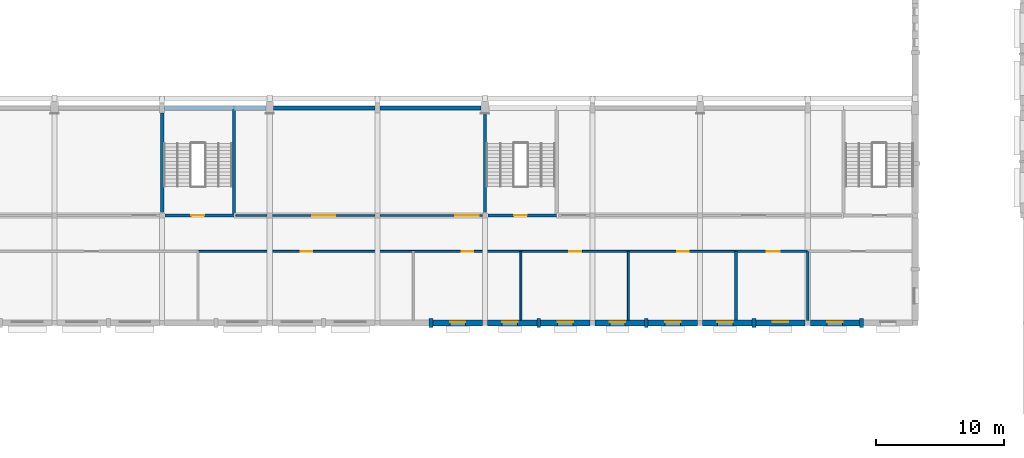
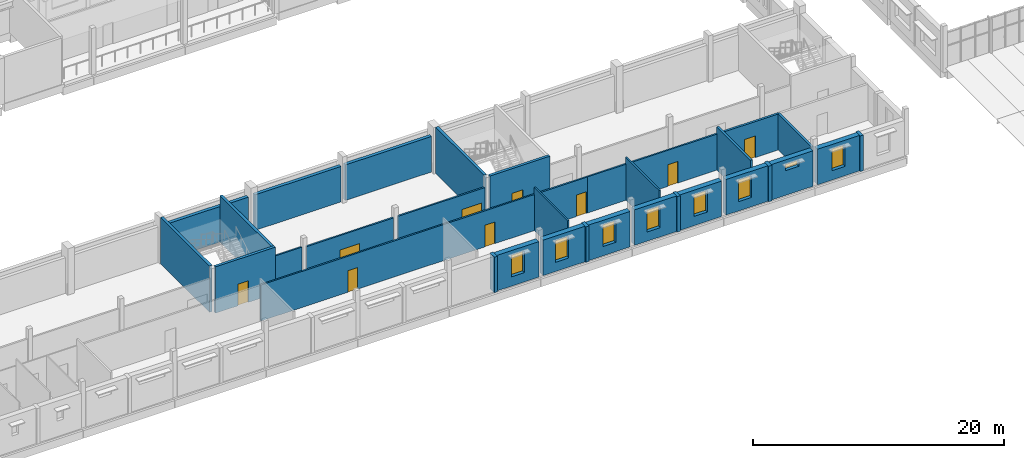
# One storey, part 36 of 60: 31 walls, 9 doors, 8 windows, 17 openings.
"""IFC4 building model written with IfcOpenShell, lengths in metres."""

from ifc_helpers import new_model, si_unit, direction, frame, frame_2d, origin, place, context, subcontext, project, spatial, rectangle, extrude, material, layer, layer_set, type_object, element, fill, save


model = new_model("IFC4")

# Units and contexts
model_context = context("Model", 3, precision=1e-05, world=origin(), true_north=direction((0.0, 1.0)))
body_context = subcontext(model_context, "Body", "Model", "MODEL_VIEW")
ifc_project = project(units=[si_unit("LENGTHUNIT", "METRE"), si_unit("AREAUNIT", "SQUARE_METRE"), si_unit("VOLUMEUNIT", "CUBIC_METRE"), si_unit("PLANEANGLEUNIT", "RADIAN"), si_unit("MASSUNIT", "GRAM", prefix="KILO")], contexts=[model_context])

# Site, building, storey
site_placement = place(None, origin())
site = spatial("IfcSite", under=ifc_project, at=site_placement, CompositionType="ELEMENT")
building_placement = place(site_placement, origin())
building = spatial("IfcBuilding", under=site, at=building_placement, Name="Fescue Hill Polytechnic", CompositionType="ELEMENT")
storey_placement = place(building_placement, frame((0.0, 0.0, 4.5)))
storey = spatial("IfcBuildingStorey", under=building, at=storey_placement, Name="L01", CompositionType="ELEMENT", Elevation=4.5)

# Wall, opening, door
ifc_material_1 = material(Name="Concrete 40 MPa", Category="concrete")
ifc_layer_1 = layer(ifc_material_1, 0.25)
ifc_layer_set_1 = layer_set([ifc_layer_1], Name="Concrete 40 MPa")
wall_type_1 = type_object("IfcWallType", Name="Core wall 250", PredefinedType="SHEAR", material=ifc_layer_set_1)
wall_1_placement = place(storey_placement, frame((59.02490234375, 8.39990234375, 0.0), z_axis=(0.0, 0.0, 1.0), x_axis=(1.0, 0.0, 0.0)))
wall_1 = element("IfcWall", 1, at=wall_1_placement, inside=storey, type_object=wall_type_1, Name="CW-L01-ST-V1-3-11", PredefinedType="SHEAR", context=body_context, shape_type="SweptSolid", body=[
    extrude(rectangle(XDim=5.5, YDim=0.25, at=frame_2d((2.75, 0.0))), origin(), (0.0, 0.0, 1.0), 4.5),
])
opening_1_placement = place(wall_1_placement, frame((2.050048828125, 0.0, 0.0)))
opening_1 = element("IfcOpeningElement", 2, at=opening_1_placement, cuts=wall_1, Name="Opening D1078", PredefinedType="OPENING", context=body_context, shape_type="SweptSolid", body=[
    extrude(rectangle(XDim=1.0, YDim=2.10009765625, at=frame_2d((0.5, 1.050048828125))), frame((0.0, 0.135009765625, 0.0), z_axis=(0.0, -1.0, 0.0), x_axis=(1.0, 0.0, 0.0)), (0.0, 0.0, 1.0), 0.27001953125),
])
ifc_material_2 = material(Name="Steel fire door", Category="steel")
door_type_1 = type_object("IfcDoorType", Name="Door single swing 1000x2100 stair fire rated", OperationType="NOTDEFINED", PredefinedType="DOOR", material=ifc_material_2)
door_1_placement = place(opening_1_placement, origin())
door_1 = element("IfcDoor", 3, at=door_1_placement, inside=storey, type_object=door_type_1, Name="L01 ST-V1-3 stair door", OperationType="SINGLE_SWING_LEFT", OverallHeight=2.10009765625, OverallWidth=1.0, PredefinedType="DOOR", context=body_context, shape_type="SweptSolid", body=[
    extrude(rectangle(XDim=1.0, YDim=2.10009765625, at=frame_2d((0.5, 1.050048828125))), frame((0.0, 0.02490234375, 0.0), z_axis=(0.0, -1.0, 0.0), x_axis=(1.0, 0.0, 0.0)), (0.0, 0.0, 1.0), 0.050048828125),
])
fill(opening_1, door_1)

# Walls
wall_2_placement = place(storey_placement, frame((58.800048828125, 8.625, 0.0), z_axis=(0.0, 0.0, 1.0), x_axis=(0.0, 1.0, 0.0)))
element("IfcWall", 4, at=wall_2_placement, inside=storey, type_object=wall_type_1, Name="CW-L01-ST-V1-3-31", PredefinedType="SHEAR", context=body_context, shape_type="SweptSolid", body=[
    extrude(rectangle(XDim=7.77490234375, YDim=0.25, at=frame_2d((3.887451171875, 0.0))), origin(), (0.0, 0.0, 1.0), 4.5),
])
wall_3_placement = place(storey_placement, frame((64.39990234375, 8.52490234375, 0.0), z_axis=(0.0, 0.0, 1.0), x_axis=(0.0, 1.0, 0.0)))
element("IfcWall", 5, at=wall_3_placement, inside=storey, type_object=wall_type_1, Name="CW-L01-ST-V1-3-41", PredefinedType="SHEAR", context=body_context, shape_type="SweptSolid", body=[
    extrude(rectangle(XDim=8.150146484375, YDim=0.25, at=frame_2d((4.0751953125, 0.0))), origin(), (0.0, 0.0, 1.0), 4.5),
])

# Wall, opening, door
wall_4_placement = place(storey_placement, frame((84.22509765625, 8.39990234375, 0.0), z_axis=(0.0, 0.0, 1.0), x_axis=(1.0, 0.0, 0.0)))
wall_4 = element("IfcWall", 6, at=wall_4_placement, inside=storey, type_object=wall_type_1, Name="CW-L01-ST-V1-4-11", PredefinedType="SHEAR", context=body_context, shape_type="SweptSolid", body=[
    extrude(rectangle(XDim=5.5, YDim=0.25, at=frame_2d((2.75, 0.0))), origin(), (0.0, 0.0, 1.0), 4.5),
])
opening_2_placement = place(wall_4_placement, frame((2.050048828125, 0.0, 0.0)))
opening_2 = element("IfcOpeningElement", 7, at=opening_2_placement, cuts=wall_4, Name="Opening D1079", PredefinedType="OPENING", context=body_context, shape_type="SweptSolid", body=[
    extrude(rectangle(XDim=1.0, YDim=2.10009765625, at=frame_2d((0.5, 1.050048828125))), frame((0.0, 0.135009765625, 0.0), z_axis=(0.0, -1.0, 0.0), x_axis=(1.0, 0.0, 0.0)), (0.0, 0.0, 1.0), 0.27001953125),
])
door_2_placement = place(opening_2_placement, origin())
door_2 = element("IfcDoor", 8, at=door_2_placement, inside=storey, type_object=door_type_1, Name="L01 ST-V1-4 stair door", OperationType="SINGLE_SWING_RIGHT", OverallHeight=2.10009765625, OverallWidth=1.0, PredefinedType="DOOR", context=body_context, shape_type="SweptSolid", body=[
    extrude(rectangle(XDim=1.0, YDim=2.10009765625, at=frame_2d((0.5, 1.050048828125))), frame((0.0, 0.02490234375, 0.0), z_axis=(0.0, -1.0, 0.0), x_axis=(1.0, 0.0, 0.0)), (0.0, 0.0, 1.0), 0.050048828125),
])
fill(opening_2, door_2)

# Wall
wall_5_placement = place(storey_placement, frame((84.0, 8.625, 0.0), z_axis=(0.0, 0.0, 1.0), x_axis=(0.0, 1.0, 0.0)))
element("IfcWall", 9, at=wall_5_placement, inside=storey, type_object=wall_type_1, Name="CW-L01-ST-V1-4-31", PredefinedType="SHEAR", context=body_context, shape_type="SweptSolid", body=[
    extrude(rectangle(XDim=7.675048828125, YDim=0.25, at=frame_2d((3.83740234375, 0.0))), origin(), (0.0, 0.0, 1.0), 4.5),
])

# Wall, openings, doors
ifc_material_3 = material(Name="Gypsum board partition")
ifc_layer_2 = layer(ifc_material_3, 0.14990234375)
ifc_layer_set_2 = layer_set([ifc_layer_2], Name="Gypsum board partition")
wall_type_2 = type_object("IfcWallType", Name="Corridor wall 150 EI 45", PredefinedType="PARTITIONING", material=ifc_layer_set_2)
wall_6_placement = place(storey_placement, frame((61.60009765625, 5.60009765625, 0.0), z_axis=(0.0, 0.0, 1.0), x_axis=(1.0, 0.0, 0.0)))
wall_6 = element("IfcWall", 10, at=wall_6_placement, inside=storey, type_object=wall_type_2, Name="IW-L01-002", PredefinedType="PARTITIONING", context=body_context, shape_type="SweptSolid", body=[
    extrude(rectangle(XDim=30.0, YDim=0.14990234375, at=frame_2d((15.0, 0.0))), origin(), (0.0, 0.0, 1.0), 3.5),
])
opening_3_placement = place(wall_6_placement, frame((8.0, 0.0, 0.0)))
opening_3 = element("IfcOpeningElement", 11, at=opening_3_placement, cuts=wall_6, Name="Opening D1020", PredefinedType="OPENING", context=body_context, shape_type="SweptSolid", body=[
    extrude(rectangle(XDim=0.89990234375, YDim=2.10009765625, at=frame_2d((0.449951171875, 1.050048828125))), frame((0.0, 0.0849609375, 0.0), z_axis=(0.0, -1.0, 0.0), x_axis=(1.0, 0.0, 0.0)), (0.0, 0.0, 1.0), 0.169921875),
])
opening_4_placement = place(wall_6_placement, frame((20.60009765625, 0.0, 0.0)))
opening_4 = element("IfcOpeningElement", 12, at=opening_4_placement, cuts=wall_6, Name="Opening D1021", PredefinedType="OPENING", context=body_context, shape_type="SweptSolid", body=[
    extrude(rectangle(XDim=0.89990234375, YDim=2.10009765625, at=frame_2d((0.449951171875, 1.050048828125))), frame((0.0, 0.0849609375, 0.0), z_axis=(0.0, -1.0, 0.0), x_axis=(1.0, 0.0, 0.0)), (0.0, 0.0, 1.0), 0.169921875),
])
opening_5_placement = place(wall_6_placement, frame((29.0, 0.0, 0.0)))
opening_5 = element("IfcOpeningElement", 13, at=opening_5_placement, cuts=wall_6, Name="Opening D1022", PredefinedType="OPENING", context=body_context, shape_type="SweptSolid", body=[
    extrude(rectangle(XDim=0.89990234375, YDim=2.10009765625, at=frame_2d((0.449951171875, 1.050048828125))), frame((0.0, 0.0849609375, 0.0), z_axis=(0.0, -1.0, 0.0), x_axis=(1.0, 0.0, 0.0)), (0.0, 0.0, 1.0), 0.169921875),
])
ifc_material_4 = material(Name="Timber", Category="wood")
door_type_2 = type_object("IfcDoorType", Name="Door single swing 900x2100 FD30S", OperationType="SINGLE_SWING_LEFT", PredefinedType="DOOR", material=ifc_material_4)
door_3_placement = place(opening_3_placement, origin())
door_3 = element("IfcDoor", 14, at=door_3_placement, inside=storey, type_object=door_type_2, Name="Door D1020", OperationType="SINGLE_SWING_LEFT", OverallHeight=2.10009765625, OverallWidth=0.89990234375, PredefinedType="DOOR", context=body_context, shape_type="SweptSolid", body=[
    extrude(rectangle(XDim=0.89990234375, YDim=2.10009765625, at=frame_2d((0.449951171875, 1.050048828125))), frame((0.0, 0.02490234375, 0.0), z_axis=(0.0, -1.0, 0.0), x_axis=(1.0, 0.0, 0.0)), (0.0, 0.0, 1.0), 0.050048828125),
])
fill(opening_3, door_3)
door_4_placement = place(opening_4_placement, origin())
door_4 = element("IfcDoor", 15, at=door_4_placement, inside=storey, type_object=door_type_2, Name="Door D1021", OperationType="SINGLE_SWING_RIGHT", OverallHeight=2.10009765625, OverallWidth=0.89990234375, PredefinedType="DOOR", context=body_context, shape_type="SweptSolid", body=[
    extrude(rectangle(XDim=0.89990234375, YDim=2.10009765625, at=frame_2d((0.449951171875, 1.050048828125))), frame((0.0, 0.02490234375, 0.0), z_axis=(0.0, -1.0, 0.0), x_axis=(1.0, 0.0, 0.0)), (0.0, 0.0, 1.0), 0.050048828125),
])
fill(opening_4, door_4)
door_5_placement = place(opening_5_placement, origin())
door_5 = element("IfcDoor", 16, at=door_5_placement, inside=storey, type_object=door_type_2, Name="Door D1022", OperationType="SINGLE_SWING_RIGHT", OverallHeight=2.10009765625, OverallWidth=0.89990234375, PredefinedType="DOOR", context=body_context, shape_type="SweptSolid", body=[
    extrude(rectangle(XDim=0.89990234375, YDim=2.10009765625, at=frame_2d((0.449951171875, 1.050048828125))), frame((0.0, 0.02490234375, 0.0), z_axis=(0.0, -1.0, 0.0), x_axis=(1.0, 0.0, 0.0)), (0.0, 0.0, 1.0), 0.050048828125),
])
fill(opening_5, door_5)

# Wall, opening, door
wall_7_placement = place(storey_placement, frame((91.60009765625, 5.60009765625, 0.0), z_axis=(0.0, 0.0, 1.0), x_axis=(1.0, 0.0, 0.0)))
wall_7 = element("IfcWall", 17, at=wall_7_placement, inside=storey, type_object=wall_type_2, Name="IW-L01-003", PredefinedType="PARTITIONING", context=body_context, shape_type="SweptSolid", body=[
    extrude(rectangle(XDim=12.0, YDim=0.14990234375, at=frame_2d((6.0, 0.0))), origin(), (0.0, 0.0, 1.0), 3.5),
])
opening_6_placement = place(wall_7_placement, frame((7.39990234375, 0.0, 0.0)))
opening_6 = element("IfcOpeningElement", 18, at=opening_6_placement, cuts=wall_7, Name="Opening D1023", PredefinedType="OPENING", context=body_context, shape_type="SweptSolid", body=[
    extrude(rectangle(XDim=0.89990234375, YDim=2.10009765625, at=frame_2d((0.449951171875, 1.050048828125))), frame((0.0, 0.0849609375, 0.0), z_axis=(0.0, -1.0, 0.0), x_axis=(1.0, 0.0, 0.0)), (0.0, 0.0, 1.0), 0.169921875),
])
door_6_placement = place(opening_6_placement, origin())
door_6 = element("IfcDoor", 19, at=door_6_placement, inside=storey, type_object=door_type_2, Name="Door D1023", OperationType="SINGLE_SWING_RIGHT", OverallHeight=2.10009765625, OverallWidth=0.89990234375, PredefinedType="DOOR", context=body_context, shape_type="SweptSolid", body=[
    extrude(rectangle(XDim=0.89990234375, YDim=2.10009765625, at=frame_2d((0.449951171875, 1.050048828125))), frame((0.0, 0.02490234375, 0.0), z_axis=(0.0, -1.0, 0.0), x_axis=(1.0, 0.0, 0.0)), (0.0, 0.0, 1.0), 0.050048828125),
])
fill(opening_6, door_6)

# Wall, opening, window
ifc_material_5 = material(Name="Clay brick masonry", Category="masonry")
ifc_layer_3 = layer(ifc_material_5, 0.47998046875)
ifc_layer_set_3 = layer_set([ifc_layer_3], Name="Clay brick masonry")
wall_type_3 = type_object("IfcWallType", Name="Exterior wall engineering brick cavity 480", PredefinedType="SOLIDWALL", material=ifc_layer_set_3)
wall_8_placement = place(storey_placement, frame((79.949951171875, 0.0, 0.0), z_axis=(0.0, 0.0, 1.0), x_axis=(1.0, 0.0, 0.0)))
wall_8 = element("IfcWall", 20, at=wall_8_placement, inside=storey, type_object=wall_type_3, Name="EW-L01-V1-24", PredefinedType="SOLIDWALL", context=body_context, shape_type="SweptSolid", body=[
    extrude(rectangle(XDim=3.85009765625, YDim=0.47998046875, at=frame_2d((1.925048828125, 0.0))), origin(), (0.0, 0.0, 1.0), 3.449951171875),
])
opening_7_placement = place(wall_8_placement, frame((1.324951171875, 0.0, 0.89990234375)))
opening_7 = element("IfcOpeningElement", 21, at=opening_7_placement, cuts=wall_8, Name="Opening W13", PredefinedType="OPENING", context=body_context, shape_type="SweptSolid", body=[
    extrude(rectangle(XDim=1.199951171875, YDim=2.10009765625, at=frame_2d((0.60009765625, 1.050048828125))), frame((0.0, 0.25, 0.0), z_axis=(0.0, -1.0, 0.0), x_axis=(1.0, 0.0, 0.0)), (0.0, 0.0, 1.0), 0.5),
])
ifc_material_6 = material(Name="Powder-coated aluminium and glass", Category="aluminium")
window_type_1 = type_object("IfcWindowType", Name="Window cellular office 1200x2100", PartitioningType="SINGLE_PANEL", PredefinedType="WINDOW", material=ifc_material_6)
window_1_placement = place(opening_7_placement, origin())
window_1 = element("IfcWindow", 22, at=window_1_placement, inside=storey, type_object=window_type_1, Name="WN-L01-V1-19", OverallHeight=2.10009765625, OverallWidth=1.199951171875, PartitioningType="SINGLE_PANEL", PredefinedType="WINDOW", context=body_context, shape_type="SweptSolid", body=[
    extrude(rectangle(XDim=1.199951171875, YDim=2.10009765625, at=frame_2d((0.60009765625, 1.050048828125))), frame((0.0, 0.1201171875, 0.0), z_axis=(0.0, -1.0, 0.0), x_axis=(1.0, 0.0, 0.0)), (0.0, 0.0, 1.0), 0.06005859375),
])
fill(opening_7, window_1)

wall_9_placement = place(storey_placement, frame((84.199951171875, 0.0, 0.0), z_axis=(0.0, 0.0, 1.0), x_axis=(1.0, 0.0, 0.0)))
wall_9 = element("IfcWall", 23, at=wall_9_placement, inside=storey, type_object=wall_type_3, Name="EW-L01-V1-25", PredefinedType="SOLIDWALL", context=body_context, shape_type="SweptSolid", body=[
    extrude(rectangle(XDim=3.85009765625, YDim=0.47998046875, at=frame_2d((1.925048828125, 0.0))), origin(), (0.0, 0.0, 1.0), 3.449951171875),
])
opening_8_placement = place(wall_9_placement, frame((1.14990234375, 0.0, 0.89990234375)))
opening_8 = element("IfcOpeningElement", 24, at=opening_8_placement, cuts=wall_9, Name="Opening W13", PredefinedType="OPENING", context=body_context, shape_type="SweptSolid", body=[
    extrude(rectangle(XDim=1.199951171875, YDim=2.10009765625, at=frame_2d((0.60009765625, 1.050048828125))), frame((0.0, 0.25, 0.0), z_axis=(0.0, -1.0, 0.0), x_axis=(1.0, 0.0, 0.0)), (0.0, 0.0, 1.0), 0.5),
])
window_2_placement = place(opening_8_placement, origin())
window_2 = element("IfcWindow", 25, at=window_2_placement, inside=storey, type_object=window_type_1, Name="WN-L01-V1-20", OverallHeight=2.10009765625, OverallWidth=1.199951171875, PartitioningType="SINGLE_PANEL", PredefinedType="WINDOW", context=body_context, shape_type="SweptSolid", body=[
    extrude(rectangle(XDim=1.199951171875, YDim=2.10009765625, at=frame_2d((0.60009765625, 1.050048828125))), frame((0.0, 0.1201171875, 0.0), z_axis=(0.0, -1.0, 0.0), x_axis=(1.0, 0.0, 0.0)), (0.0, 0.0, 1.0), 0.06005859375),
])
fill(opening_8, window_2)

wall_10_placement = place(storey_placement, frame((88.35009765625, 0.0, 0.0), z_axis=(0.0, 0.0, 1.0), x_axis=(1.0, 0.0, 0.0)))
wall_10 = element("IfcWall", 26, at=wall_10_placement, inside=storey, type_object=wall_type_3, Name="EW-L01-V1-26", PredefinedType="SOLIDWALL", context=body_context, shape_type="SweptSolid", body=[
    extrude(rectangle(XDim=3.849853515625, YDim=0.47998046875, at=frame_2d((1.9248046875, 0.0))), origin(), (0.0, 0.0, 1.0), 3.449951171875),
])
opening_9_placement = place(wall_10_placement, frame((1.324951171875, 0.0, 0.89990234375)))
opening_9 = element("IfcOpeningElement", 27, at=opening_9_placement, cuts=wall_10, Name="Opening W13", PredefinedType="OPENING", context=body_context, shape_type="SweptSolid", body=[
    extrude(rectangle(XDim=1.199951171875, YDim=2.10009765625, at=frame_2d((0.60009765625, 1.050048828125))), frame((0.0, 0.25, 0.0), z_axis=(0.0, -1.0, 0.0), x_axis=(1.0, 0.0, 0.0)), (0.0, 0.0, 1.0), 0.5),
])
window_3_placement = place(opening_9_placement, origin())
window_3 = element("IfcWindow", 28, at=window_3_placement, inside=storey, type_object=window_type_1, Name="WN-L01-V1-21", OverallHeight=2.10009765625, OverallWidth=1.199951171875, PartitioningType="SINGLE_PANEL", PredefinedType="WINDOW", context=body_context, shape_type="SweptSolid", body=[
    extrude(rectangle(XDim=1.199951171875, YDim=2.10009765625, at=frame_2d((0.60009765625, 1.050048828125))), frame((0.0, 0.1201171875, 0.0), z_axis=(0.0, -1.0, 0.0), x_axis=(1.0, 0.0, 0.0)), (0.0, 0.0, 1.0), 0.06005859375),
])
fill(opening_9, window_3)

wall_11_placement = place(storey_placement, frame((92.60009765625, 0.0, 0.0), z_axis=(0.0, 0.0, 1.0), x_axis=(1.0, 0.0, 0.0)))
wall_11 = element("IfcWall", 29, at=wall_11_placement, inside=storey, type_object=wall_type_3, Name="EW-L01-V1-27", PredefinedType="SOLIDWALL", context=body_context, shape_type="SweptSolid", body=[
    extrude(rectangle(XDim=3.849853515625, YDim=0.47998046875, at=frame_2d((1.9248046875, 0.0))), origin(), (0.0, 0.0, 1.0), 3.449951171875),
])
opening_10_placement = place(wall_11_placement, frame((1.14990234375, 0.0, 0.89990234375)))
opening_10 = element("IfcOpeningElement", 30, at=opening_10_placement, cuts=wall_11, Name="Opening W13", PredefinedType="OPENING", context=body_context, shape_type="SweptSolid", body=[
    extrude(rectangle(XDim=1.199951171875, YDim=2.10009765625, at=frame_2d((0.60009765625, 1.050048828125))), frame((0.0, 0.25, 0.0), z_axis=(0.0, -1.0, 0.0), x_axis=(1.0, 0.0, 0.0)), (0.0, 0.0, 1.0), 0.5),
])
window_4_placement = place(opening_10_placement, origin())
window_4 = element("IfcWindow", 31, at=window_4_placement, inside=storey, type_object=window_type_1, Name="WN-L01-V1-22", OverallHeight=2.10009765625, OverallWidth=1.199951171875, PartitioningType="SINGLE_PANEL", PredefinedType="WINDOW", context=body_context, shape_type="SweptSolid", body=[
    extrude(rectangle(XDim=1.199951171875, YDim=2.10009765625, at=frame_2d((0.60009765625, 1.050048828125))), frame((0.0, 0.1201171875, 0.0), z_axis=(0.0, -1.0, 0.0), x_axis=(1.0, 0.0, 0.0)), (0.0, 0.0, 1.0), 0.06005859375),
])
fill(opening_10, window_4)

wall_12_placement = place(storey_placement, frame((96.75, 0.0, 0.0), z_axis=(0.0, 0.0, 1.0), x_axis=(1.0, 0.0, 0.0)))
wall_12 = element("IfcWall", 32, at=wall_12_placement, inside=storey, type_object=wall_type_3, Name="EW-L01-V1-28", PredefinedType="SOLIDWALL", context=body_context, shape_type="SweptSolid", body=[
    extrude(rectangle(XDim=3.85009765625, YDim=0.47998046875, at=frame_2d((1.925048828125, 0.0))), origin(), (0.0, 0.0, 1.0), 3.449951171875),
])
opening_11_placement = place(wall_12_placement, frame((1.324951171875, 0.0, 0.89990234375)))
opening_11 = element("IfcOpeningElement", 33, at=opening_11_placement, cuts=wall_12, Name="Opening W13", PredefinedType="OPENING", context=body_context, shape_type="SweptSolid", body=[
    extrude(rectangle(XDim=1.199951171875, YDim=2.10009765625, at=frame_2d((0.60009765625, 1.050048828125))), frame((0.0, 0.25, 0.0), z_axis=(0.0, -1.0, 0.0), x_axis=(1.0, 0.0, 0.0)), (0.0, 0.0, 1.0), 0.5),
])
window_5_placement = place(opening_11_placement, origin())
window_5 = element("IfcWindow", 34, at=window_5_placement, inside=storey, type_object=window_type_1, Name="WN-L01-V1-23", OverallHeight=2.10009765625, OverallWidth=1.199951171875, PartitioningType="SINGLE_PANEL", PredefinedType="WINDOW", context=body_context, shape_type="SweptSolid", body=[
    extrude(rectangle(XDim=1.199951171875, YDim=2.10009765625, at=frame_2d((0.60009765625, 1.050048828125))), frame((0.0, 0.1201171875, 0.0), z_axis=(0.0, -1.0, 0.0), x_axis=(1.0, 0.0, 0.0)), (0.0, 0.0, 1.0), 0.06005859375),
])
fill(opening_11, window_5)

wall_13_placement = place(storey_placement, frame((101.0, 0.0, 0.0), z_axis=(0.0, 0.0, 1.0), x_axis=(1.0, 0.0, 0.0)))
wall_13 = element("IfcWall", 35, at=wall_13_placement, inside=storey, type_object=wall_type_3, Name="EW-L01-V1-29", PredefinedType="SOLIDWALL", context=body_context, shape_type="SweptSolid", body=[
    extrude(rectangle(XDim=3.85009765625, YDim=0.47998046875, at=frame_2d((1.925048828125, 0.0))), origin(), (0.0, 0.0, 1.0), 3.449951171875),
])
opening_12_placement = place(wall_13_placement, frame((1.14990234375, 0.0, 0.89990234375)))
opening_12 = element("IfcOpeningElement", 36, at=opening_12_placement, cuts=wall_13, Name="Opening W13", PredefinedType="OPENING", context=body_context, shape_type="SweptSolid", body=[
    extrude(rectangle(XDim=1.199951171875, YDim=2.10009765625, at=frame_2d((0.60009765625, 1.050048828125))), frame((0.0, 0.25, 0.0), z_axis=(0.0, -1.0, 0.0), x_axis=(1.0, 0.0, 0.0)), (0.0, 0.0, 1.0), 0.5),
])
window_6_placement = place(opening_12_placement, origin())
window_6 = element("IfcWindow", 37, at=window_6_placement, inside=storey, type_object=window_type_1, Name="WN-L01-V1-24", OverallHeight=2.10009765625, OverallWidth=1.199951171875, PartitioningType="SINGLE_PANEL", PredefinedType="WINDOW", context=body_context, shape_type="SweptSolid", body=[
    extrude(rectangle(XDim=1.199951171875, YDim=2.10009765625, at=frame_2d((0.60009765625, 1.050048828125))), frame((0.0, 0.1201171875, 0.0), z_axis=(0.0, -1.0, 0.0), x_axis=(1.0, 0.0, 0.0)), (0.0, 0.0, 1.0), 0.06005859375),
])
fill(opening_12, window_6)

wall_14_placement = place(storey_placement, frame((105.14990234375, 0.0, 0.0), z_axis=(0.0, 0.0, 1.0), x_axis=(1.0, 0.0, 0.0)))
wall_14 = element("IfcWall", 38, at=wall_14_placement, inside=storey, type_object=wall_type_3, Name="EW-L01-V1-30", PredefinedType="SOLIDWALL", context=body_context, shape_type="SweptSolid", body=[
    extrude(rectangle(XDim=3.85009765625, YDim=0.47998046875, at=frame_2d((1.925048828125, 0.0))), origin(), (0.0, 0.0, 1.0), 3.449951171875),
])
opening_13_placement = place(wall_14_placement, frame((1.324951171875, 0.0, 2.39990234375)))
opening_13 = element("IfcOpeningElement", 39, at=opening_13_placement, cuts=wall_14, Name="Opening W12", PredefinedType="OPENING", context=body_context, shape_type="SweptSolid", body=[
    extrude(rectangle(XDim=1.199951171875, YDim=0.60009765625, at=frame_2d((0.60009765625, 0.300048828125))), frame((0.0, 0.25, 0.0), z_axis=(0.0, -1.0, 0.0), x_axis=(1.0, 0.0, 0.0)), (0.0, 0.0, 1.0), 0.5),
])
window_type_2 = type_object("IfcWindowType", Name="Window plant and store high-level 1200x600", PartitioningType="SINGLE_PANEL", PredefinedType="WINDOW", material=ifc_material_6)
window_7_placement = place(opening_13_placement, origin())
window_7 = element("IfcWindow", 40, at=window_7_placement, inside=storey, type_object=window_type_2, Name="WN-L01-V1-25", OverallHeight=0.60009765625, OverallWidth=1.199951171875, PartitioningType="SINGLE_PANEL", PredefinedType="WINDOW", context=body_context, shape_type="SweptSolid", body=[
    extrude(rectangle(XDim=1.199951171875, YDim=0.60009765625, at=frame_2d((0.60009765625, 0.300048828125))), frame((0.0, 0.1201171875, 0.0), z_axis=(0.0, -1.0, 0.0), x_axis=(1.0, 0.0, 0.0)), (0.0, 0.0, 1.0), 0.06005859375),
])
fill(opening_13, window_7)

wall_15_placement = place(storey_placement, frame((109.39990234375, 0.0, 0.0), z_axis=(0.0, 0.0, 1.0), x_axis=(1.0, 0.0, 0.0)))
wall_15 = element("IfcWall", 41, at=wall_15_placement, inside=storey, type_object=wall_type_3, Name="EW-L01-V1-31", PredefinedType="SOLIDWALL", context=body_context, shape_type="SweptSolid", body=[
    extrude(rectangle(XDim=3.85009765625, YDim=0.47998046875, at=frame_2d((1.925048828125, 0.0))), origin(), (0.0, 0.0, 1.0), 3.449951171875),
])
opening_14_placement = place(wall_15_placement, frame((1.324951171875, 0.0, 0.89990234375)))
opening_14 = element("IfcOpeningElement", 42, at=opening_14_placement, cuts=wall_15, Name="Opening W13", PredefinedType="OPENING", context=body_context, shape_type="SweptSolid", body=[
    extrude(rectangle(XDim=1.199951171875, YDim=2.10009765625, at=frame_2d((0.60009765625, 1.050048828125))), frame((0.0, 0.25, 0.0), z_axis=(0.0, -1.0, 0.0), x_axis=(1.0, 0.0, 0.0)), (0.0, 0.0, 1.0), 0.5),
])
window_8_placement = place(opening_14_placement, origin())
window_8 = element("IfcWindow", 43, at=window_8_placement, inside=storey, type_object=window_type_1, Name="WN-L01-V1-26", OverallHeight=2.10009765625, OverallWidth=1.199951171875, PartitioningType="SINGLE_PANEL", PredefinedType="WINDOW", context=body_context, shape_type="SweptSolid", body=[
    extrude(rectangle(XDim=1.199951171875, YDim=2.10009765625, at=frame_2d((0.60009765625, 1.050048828125))), frame((0.0, 0.1201171875, 0.0), z_axis=(0.0, -1.0, 0.0), x_axis=(1.0, 0.0, 0.0)), (0.0, 0.0, 1.0), 0.06005859375),
])
fill(opening_14, window_8)

# Walls
ifc_layer_4 = layer(ifc_material_1, 0.699951171875)
ifc_layer_set_4 = layer_set([ifc_layer_4], Name="Concrete 40 MPa")
wall_type_4 = type_object("IfcWallType", Name="Fin wall board-marked 300x700", PredefinedType="SOLIDWALL", material=ifc_layer_set_4)
for number, where, z_axis, x_axis, name in (
    (44, (79.64990234375, 0.0, 0.0), (0.0, 0.0, 1.0), (1.0, 0.0, 0.0), "PR-L01-V1-12"),
    (45, (88.050048828125, 0.0, 0.0), (0.0, 0.0, 1.0), (1.0, 0.0, 0.0), "PR-L01-V1-13"),
    (46, (96.449951171875, 0.0, 0.0), (0.0, 0.0, 1.0), (1.0, 0.0, 0.0), "PR-L01-V1-14"),
):
    element("IfcWall", number, at=place(storey_placement, frame(where, z_axis=z_axis, x_axis=x_axis)), inside=storey, type_object=wall_type_4, Name=name, PredefinedType="SOLIDWALL", context=body_context, shape_type="SweptSolid", body=[
        extrude(rectangle(XDim=0.300048828125, YDim=0.699951171875, at=frame_2d((0.14990234375, 0.0))), origin(), (0.0, 0.0, 1.0), 3.449951171875),
    ])
wall_16_placement = place(storey_placement, frame((104.85009765625, 0.0, 0.0), z_axis=(0.0, 0.0, 1.0), x_axis=(1.0, 0.0, 0.0)))
element("IfcWall", 47, at=wall_16_placement, inside=storey, type_object=wall_type_4, Name="PR-L01-V1-15", PredefinedType="SOLIDWALL", context=body_context, shape_type="SweptSolid", body=[
    extrude(rectangle(XDim=0.2998046875, YDim=0.699951171875, at=frame_2d((0.14990234375, 0.0))), origin(), (0.0, 0.0, 1.0), 3.449951171875),
])
wall_17_placement = place(storey_placement, frame((113.25, 0.0, 0.0), z_axis=(0.0, 0.0, 1.0), x_axis=(1.0, 0.0, 0.0)))
element("IfcWall", 48, at=wall_17_placement, inside=storey, type_object=wall_type_4, Name="PR-L01-V1-16", PredefinedType="SOLIDWALL", context=body_context, shape_type="SweptSolid", body=[
    extrude(rectangle(XDim=0.300048828125, YDim=0.699951171875, at=frame_2d((0.14990234375, 0.0))), origin(), (0.0, 0.0, 1.0), 3.449951171875),
])
ifc_layer_5 = layer(ifc_material_1, 0.300048828125)
ifc_layer_set_5 = layer_set([ifc_layer_5], Name="Concrete 40 MPa")
wall_type_5 = type_object("IfcWallType", Name="Hall wall concrete 300 fire rated", PredefinedType="SOLIDWALL", material=ifc_layer_set_5)
for number, where, z_axis, x_axis, name in (
    (49, (83.699951171875, 16.800048828125, 0.0), (0.0, 0.0, 1.0), (-1.0, 0.0, 0.0), "EW-L01-V1-41"),
    (50, (75.39990234375, 16.800048828125, 0.0), (0.0, 0.0, 1.0), (-1.0, 0.0, 0.0), "EW-L01-V1-42"),
):
    element("IfcWall", number, at=place(storey_placement, frame(where, z_axis=z_axis, x_axis=x_axis)), inside=storey, type_object=wall_type_5, Name=name, PredefinedType="SOLIDWALL", context=body_context, shape_type="SweptSolid", body=[
        extrude(rectangle(XDim=7.89990234375, YDim=0.300048828125, at=frame_2d((3.949951171875, 0.0))), origin(), (0.0, 0.0, 1.0), 3.449951171875),
    ])
ifc_layer_6 = layer(ifc_material_1, 0.300048828125)
ifc_layer_set_6 = layer_set([ifc_layer_6], Name="Concrete 40 MPa")
wall_type_6 = type_object("IfcWallType", Name="Hall wall concrete 300 load-bearing REI 120", PredefinedType="SOLIDWALL", material=ifc_layer_set_6)
wall_18_placement = place(storey_placement, frame((66.89990234375, 16.800048828125, 0.0), z_axis=(0.0, 0.0, 1.0), x_axis=(-1.0, 0.0, 0.0)))
element("IfcWall", 51, at=wall_18_placement, inside=storey, type_object=wall_type_6, Name="EW-L01-V1-43", PredefinedType="SOLIDWALL", context=body_context, shape_type="SweptSolid", body=[
    extrude(rectangle(XDim=7.89990234375, YDim=0.300048828125, at=frame_2d((3.949951171875, 0.0))), origin(), (0.0, 0.0, 1.0), 3.449951171875),
])
ifc_material_7 = material(Name="Concrete masonry block 15 MPa", Category="masonry")
ifc_layer_7 = layer(ifc_material_7, 0.14990234375)
ifc_layer_set_7 = layer_set([ifc_layer_7], Name="Concrete masonry block 15 MPa")
wall_type_7 = type_object("IfcWallType", Name="Laboratory wall 150 block EI 60", PredefinedType="PARTITIONING", material=ifc_layer_set_7)
wall_19_placement = place(storey_placement, frame((64.550048828125, 8.39990234375, 0.0), z_axis=(0.0, 0.0, 1.0), x_axis=(1.0, 0.0, 0.0)))
element("IfcWall", 52, at=wall_19_placement, inside=storey, type_object=wall_type_7, Name="IW-L01-019", PredefinedType="PARTITIONING", context=body_context, shape_type="SweptSolid", body=[
    extrude(rectangle(XDim=2.449951171875, YDim=0.14990234375, at=frame_2d((1.22509765625, 0.0))), origin(), (0.0, 0.0, 1.0), 3.60009765625),
])

# Wall, opening, door
wall_20_placement = place(storey_placement, frame((67.39990234375, 8.39990234375, 0.0), z_axis=(0.0, 0.0, 1.0), x_axis=(1.0, 0.0, 0.0)))
wall_20 = element("IfcWall", 53, at=wall_20_placement, inside=storey, type_object=wall_type_7, Name="IW-L01-020", PredefinedType="PARTITIONING", context=body_context, shape_type="SweptSolid", body=[
    extrude(rectangle(XDim=8.0, YDim=0.14990234375, at=frame_2d((4.0, 0.0))), origin(), (0.0, 0.0, 1.0), 3.5),
])
opening_15_placement = place(wall_20_placement, frame((3.10009765625, 0.0, 0.0)))
opening_15 = element("IfcOpeningElement", 54, at=opening_15_placement, cuts=wall_20, Name="Opening D1030", PredefinedType="OPENING", context=body_context, shape_type="SweptSolid", body=[
    extrude(rectangle(XDim=1.800048828125, YDim=2.10009765625, at=frame_2d((0.89990234375, 1.050048828125))), frame((0.0, 0.0849609375, 0.0), z_axis=(0.0, -1.0, 0.0), x_axis=(1.0, 0.0, 0.0)), (0.0, 0.0, 1.0), 0.169921875),
])
ifc_material_8 = material(Name="Steel", Category="steel")
door_type_3 = type_object("IfcDoorType", Name="Door double swing 1800x2100 FD60", OperationType="DOUBLE_DOOR_SINGLE_SWING", PredefinedType="DOOR", material=ifc_material_8)
door_7_placement = place(opening_15_placement, origin())
door_7 = element("IfcDoor", 55, at=door_7_placement, inside=storey, type_object=door_type_3, Name="Door D1030", OperationType="DOUBLE_DOOR_SINGLE_SWING", OverallHeight=2.10009765625, OverallWidth=1.800048828125, PredefinedType="DOOR", context=body_context, shape_type="SweptSolid", body=[
    extrude(rectangle(XDim=1.800048828125, YDim=2.10009765625, at=frame_2d((0.89990234375, 1.050048828125))), frame((0.0, 0.02490234375, 0.0), z_axis=(0.0, -1.0, 0.0), x_axis=(1.0, 0.0, 0.0)), (0.0, 0.0, 1.0), 0.050048828125),
])
fill(opening_15, door_7)

wall_21_placement = place(storey_placement, frame((75.800048828125, 8.39990234375, 0.0), z_axis=(0.0, 0.0, 1.0), x_axis=(1.0, 0.0, 0.0)))
wall_21 = element("IfcWall", 56, at=wall_21_placement, inside=storey, type_object=wall_type_7, Name="IW-L01-021", PredefinedType="PARTITIONING", context=body_context, shape_type="SweptSolid", body=[
    extrude(rectangle(XDim=8.0, YDim=0.14990234375, at=frame_2d((4.0, 0.0))), origin(), (0.0, 0.0, 1.0), 3.5),
])
opening_16_placement = place(wall_21_placement, frame((5.89990234375, 0.0, 0.0)))
opening_16 = element("IfcOpeningElement", 57, at=opening_16_placement, cuts=wall_21, Name="Opening D1031", PredefinedType="OPENING", context=body_context, shape_type="SweptSolid", body=[
    extrude(rectangle(XDim=1.800048828125, YDim=2.10009765625, at=frame_2d((0.89990234375, 1.050048828125))), frame((0.0, 0.0849609375, 0.0), z_axis=(0.0, -1.0, 0.0), x_axis=(1.0, 0.0, 0.0)), (0.0, 0.0, 1.0), 0.169921875),
])
door_8_placement = place(opening_16_placement, origin())
door_8 = element("IfcDoor", 58, at=door_8_placement, inside=storey, type_object=door_type_3, Name="Door D1031", OperationType="DOUBLE_DOOR_SINGLE_SWING", OverallHeight=2.10009765625, OverallWidth=1.800048828125, PredefinedType="DOOR", context=body_context, shape_type="SweptSolid", body=[
    extrude(rectangle(XDim=1.800048828125, YDim=2.10009765625, at=frame_2d((0.89990234375, 1.050048828125))), frame((0.0, 0.02490234375, 0.0), z_axis=(0.0, -1.0, 0.0), x_axis=(1.0, 0.0, 0.0)), (0.0, 0.0, 1.0), 0.050048828125),
])
fill(opening_16, door_8)

# Walls
ifc_layer_8 = layer(ifc_material_3, 0.14990234375)
ifc_layer_set_8 = layer_set([ifc_layer_8], Name="Gypsum board partition")
wall_type_8 = type_object("IfcWallType", Name="Partition stud 150 acoustic", PredefinedType="PARTITIONING", material=ifc_layer_set_8)
for number, where, z_axis, x_axis, name in (
    (59, (86.800048828125, 0.239990234375, 0.0), (0.0, 0.0, 1.0), (0.0, 1.0, 0.0), "IW-L01-090"),
    (60, (95.199951171875, 0.239990234375, 0.0), (0.0, 0.0, 1.0), (0.0, 1.0, 0.0), "IW-L01-091"),
):
    element("IfcWall", number, at=place(storey_placement, frame(where, z_axis=z_axis, x_axis=x_axis)), inside=storey, type_object=wall_type_8, Name=name, PredefinedType="PARTITIONING", context=body_context, shape_type="SweptSolid", body=[
        extrude(rectangle(XDim=5.360107421875, YDim=0.14990234375, at=frame_2d((2.68017578125, 0.0))), origin(), (0.0, 0.0, 1.0), 4.14990234375),
    ])

# Wall, opening, door
ifc_layer_9 = layer(ifc_material_7, 0.199951171875)
ifc_layer_set_9 = layer_set([ifc_layer_9], Name="Concrete masonry block 15 MPa")
wall_type_9 = type_object("IfcWallType", Name="Plant room wall 200 block EI 60", PredefinedType="PARTITIONING", material=ifc_layer_set_9)
wall_22_placement = place(storey_placement, frame((103.60009765625, 5.60009765625, 0.0), z_axis=(0.0, 0.0, 1.0), x_axis=(1.0, 0.0, 0.0)))
wall_22 = element("IfcWall", 61, at=wall_22_placement, inside=storey, type_object=wall_type_9, Name="IW-L01-006", PredefinedType="PARTITIONING", context=body_context, shape_type="SweptSolid", body=[
    extrude(rectangle(XDim=5.599853515625, YDim=0.199951171875, at=frame_2d((2.7998046875, 0.0))), origin(), (0.0, 0.0, 1.0), 3.5),
])
opening_17_placement = place(wall_22_placement, frame((2.39990234375, 0.0, 0.0)))
opening_17 = element("IfcOpeningElement", 62, at=opening_17_placement, cuts=wall_22, Name="Opening D1024", PredefinedType="OPENING", context=body_context, shape_type="SweptSolid", body=[
    extrude(rectangle(XDim=1.0, YDim=2.10009765625, at=frame_2d((0.5, 1.050048828125))), frame((0.0, 0.10986328125, 0.0), z_axis=(0.0, -1.0, 0.0), x_axis=(1.0, 0.0, 0.0)), (0.0, 0.0, 1.0), 0.219970703125),
])
door_type_4 = type_object("IfcDoorType", Name="Door single swing 1000x2100 FD60", OperationType="SINGLE_SWING_LEFT", PredefinedType="DOOR", material=ifc_material_8)
door_9_placement = place(opening_17_placement, origin())
door_9 = element("IfcDoor", 63, at=door_9_placement, inside=storey, type_object=door_type_4, Name="Door D1024", OperationType="SINGLE_SWING_RIGHT", OverallHeight=2.10009765625, OverallWidth=1.0, PredefinedType="DOOR", context=body_context, shape_type="SweptSolid", body=[
    extrude(rectangle(XDim=1.0, YDim=2.10009765625, at=frame_2d((0.5, 1.050048828125))), frame((0.0, 0.02490234375, 0.0), z_axis=(0.0, -1.0, 0.0), x_axis=(1.0, 0.0, 0.0)), (0.0, 0.0, 1.0), 0.050048828125),
])
fill(opening_17, door_9)

# Walls
wall_23_placement = place(storey_placement, frame((103.60009765625, 0.239990234375, 0.0), z_axis=(0.0, 0.0, 1.0), x_axis=(0.0, 1.0, 0.0)))
element("IfcWall", 64, at=wall_23_placement, inside=storey, type_object=wall_type_9, Name="IW-L01-095", PredefinedType="PARTITIONING", context=body_context, shape_type="SweptSolid", body=[
    extrude(rectangle(XDim=5.360107421875, YDim=0.199951171875, at=frame_2d((2.68017578125, 0.0))), origin(), (0.0, 0.0, 1.0), 4.14990234375),
])
wall_24_placement = place(storey_placement, frame((109.199951171875, 0.199951171875, 0.0), z_axis=(0.0, 0.0, 1.0), x_axis=(0.0, 1.0, 0.0)))
element("IfcWall", 65, at=wall_24_placement, inside=storey, type_object=wall_type_9, Name="IW-L01-097", PredefinedType="PARTITIONING", context=body_context, shape_type="SweptSolid", body=[
    extrude(rectangle(XDim=5.400146484375, YDim=0.199951171875, at=frame_2d((2.7001953125, 0.0))), origin(), (0.0, 0.0, 1.0), 3.5),
])

save(model, "model.ifc")
